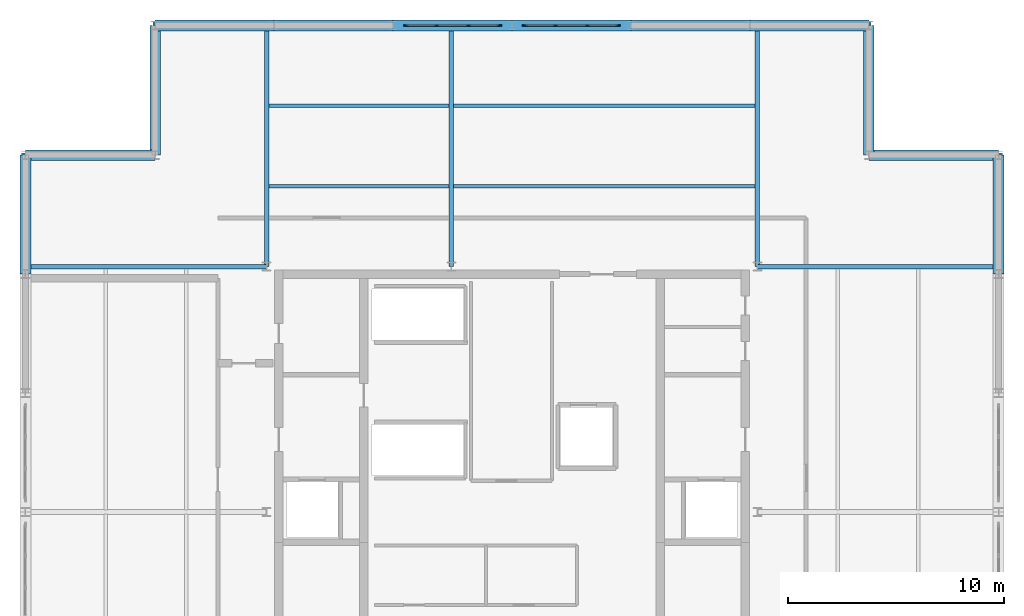
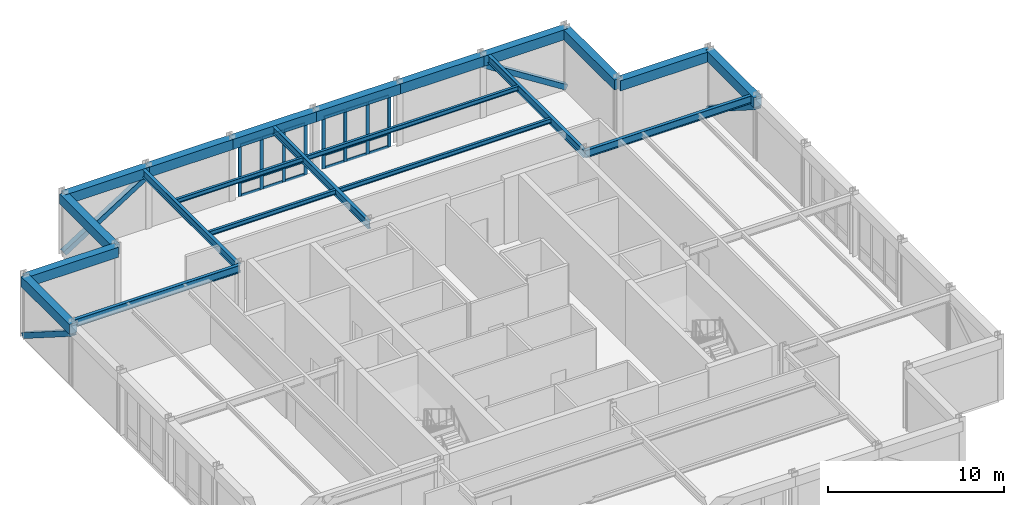
# One storey, part 5 of 9: 30 members, 21 beams, 2 elements without a shape of their own.
"""IFC4 building model written with IfcOpenShell, lengths in metres."""

from ifc_helpers import new_model, si_unit, direction, frame, origin, origin_2d, place, context, subcontext, project, spatial, rectangle, hollow_rectangle, i_section, extrude, material, layer, layer_set, material_profile, profile_set, type_object, element, aggregate, save


model = new_model("IFC4")

# Units and contexts
model_context = context("Model", 3, precision=1e-05, world=origin(), true_north=direction((0.0, 1.0)))
body_context = subcontext(model_context, "Body", "Model", "MODEL_VIEW")
ifc_project = project(units=[si_unit("LENGTHUNIT", "METRE"), si_unit("AREAUNIT", "SQUARE_METRE"), si_unit("VOLUMEUNIT", "CUBIC_METRE"), si_unit("PLANEANGLEUNIT", "RADIAN"), si_unit("MASSUNIT", "GRAM", prefix="KILO")], contexts=[model_context])

# Site, building, storey
site_placement = place(None, origin())
site = spatial("IfcSite", under=ifc_project, at=site_placement, CompositionType="ELEMENT")
building_placement = place(site_placement, origin())
building = spatial("IfcBuilding", under=site, at=building_placement, Name="Nhamokura Convention Tower", CompositionType="ELEMENT")
storey_placement = place(building_placement, frame((0.0, 0.0, 313.25)))
storey = spatial("IfcBuildingStorey", under=building, at=storey_placement, Name="L77", CompositionType="ELEMENT", Elevation=313.25)

# Curtain wall, members
ifc_material_1 = material(Name="Anodised bronze aluminium AA6063-T6", Category="aluminium")
ifc_layer = layer(ifc_material_1, 0.2099609375)
ifc_layer_set = layer_set([ifc_layer], Name="CWSystem_SlantedCrown")
curtain_wall_type = type_object("IfcCurtainWallType", Name="CWSystem_SlantedCrown", PredefinedType="NOTDEFINED", material=ifc_layer_set)
curtain_wall_1_placement = place(storey_placement, origin())
curtain_wall_1 = element("IfcCurtainWall", 1, at=curtain_wall_1_placement, inside=storey, type_object=curtain_wall_type, Name="L77 Curtain Wall ENV-L77-CRCW-N2", PredefinedType="NOTDEFINED")
ifc_material_2 = material(Name="Anodised bronze aluminium AA6063-T6", Category="aluminium")
ifc_material_profile_1 = material_profile(ifc_material_2, rectangle(XDim=0.080078125, YDim=0.2099609375, at=origin_2d()))
ifc_profile_set_1 = profile_set([ifc_material_profile_1], Name="Anodised bronze aluminium AA6063-T6")
member_type_1 = type_object("IfcMemberType", Name="CWMullion_4", PredefinedType="MULLION", material=ifc_profile_set_1)
member_1_placement = place(storey_placement, frame((27.090087890625, 54.5, 0.0), z_axis=(0.0, 0.0, 1.0), x_axis=(0.0, 1.0, 0.0)))
member_1 = element("IfcMember", 2, at=member_1_placement, type_object=member_type_1, Name="CW-07 mullion 1", PredefinedType="MULLION", context=body_context, shape_type="SweptSolid", body=[
    extrude(rectangle(XDim=0.080078125, YDim=0.2099609375, at=origin_2d()), origin(), (0.0, 0.0, 1.0), 3.570068359375),
])
member_2_placement = place(storey_placement, frame((28.5166015625, 54.5, 0.0), z_axis=(0.0, 0.0, 1.0), x_axis=(0.0, 1.0, 0.0)))
member_2 = element("IfcMember", 3, at=member_2_placement, type_object=member_type_1, Name="CW-07 mullion 2", PredefinedType="MULLION", context=body_context, shape_type="SweptSolid", body=[
    extrude(rectangle(XDim=0.080078125, YDim=0.2099609375, at=origin_2d()), origin(), (0.0, 0.0, 1.0), 3.570068359375),
])
member_3_placement = place(storey_placement, frame((29.9833984375, 54.5, 0.0), z_axis=(0.0, 0.0, 1.0), x_axis=(0.0, 1.0, 0.0)))
member_3 = element("IfcMember", 4, at=member_3_placement, type_object=member_type_1, Name="CW-07 mullion 3", PredefinedType="MULLION", context=body_context, shape_type="SweptSolid", body=[
    extrude(rectangle(XDim=0.080078125, YDim=0.2099609375, at=origin_2d()), origin(), (0.0, 0.0, 1.0), 3.570068359375),
])
member_4_placement = place(storey_placement, frame((31.409912109375, 54.5, 0.0), z_axis=(0.0, 0.0, 1.0), x_axis=(0.0, 1.0, 0.0)))
member_4 = element("IfcMember", 5, at=member_4_placement, type_object=member_type_1, Name="CW-07 mullion 4", PredefinedType="MULLION", context=body_context, shape_type="SweptSolid", body=[
    extrude(rectangle(XDim=0.080078125, YDim=0.2099609375, at=origin_2d()), origin(), (0.0, 0.0, 1.0), 3.570068359375),
])

curtain_wall_2_placement = place(storey_placement, origin())
curtain_wall_2 = element("IfcCurtainWall", 6, at=curtain_wall_2_placement, inside=storey, type_object=curtain_wall_type, Name="L77 Curtain Wall ENV-L77-CRCW-N3", PredefinedType="NOTDEFINED")
member_5_placement = place(storey_placement, frame((32.590087890625, 54.5, 0.0), z_axis=(0.0, 0.0, 1.0), x_axis=(0.0, 1.0, 0.0)))
member_5 = element("IfcMember", 7, at=member_5_placement, type_object=member_type_1, Name="CW-07 mullion 1", PredefinedType="MULLION", context=body_context, shape_type="SweptSolid", body=[
    extrude(rectangle(XDim=0.080078125, YDim=0.2099609375, at=origin_2d()), origin(), (0.0, 0.0, 1.0), 3.570068359375),
])
member_6_placement = place(storey_placement, frame((34.0166015625, 54.5, 0.0), z_axis=(0.0, 0.0, 1.0), x_axis=(0.0, 1.0, 0.0)))
member_6 = element("IfcMember", 8, at=member_6_placement, type_object=member_type_1, Name="CW-07 mullion 2", PredefinedType="MULLION", context=body_context, shape_type="SweptSolid", body=[
    extrude(rectangle(XDim=0.080078125, YDim=0.2099609375, at=origin_2d()), origin(), (0.0, 0.0, 1.0), 3.570068359375),
])
member_7_placement = place(storey_placement, frame((35.4833984375, 54.5, 0.0), z_axis=(0.0, 0.0, 1.0), x_axis=(0.0, 1.0, 0.0)))
member_7 = element("IfcMember", 9, at=member_7_placement, type_object=member_type_1, Name="CW-07 mullion 3", PredefinedType="MULLION", context=body_context, shape_type="SweptSolid", body=[
    extrude(rectangle(XDim=0.080078125, YDim=0.2099609375, at=origin_2d()), origin(), (0.0, 0.0, 1.0), 3.570068359375),
])
member_8_placement = place(storey_placement, frame((36.909912109375, 54.5, 0.0), z_axis=(0.0, 0.0, 1.0), x_axis=(0.0, 1.0, 0.0)))
member_8 = element("IfcMember", 10, at=member_8_placement, type_object=member_type_1, Name="CW-07 mullion 4", PredefinedType="MULLION", context=body_context, shape_type="SweptSolid", body=[
    extrude(rectangle(XDim=0.080078125, YDim=0.2099609375, at=origin_2d()), origin(), (0.0, 0.0, 1.0), 3.570068359375),
])

# Member
ifc_material_3 = material(Name="Anodised bronze aluminium AA6063-T6", Category="aluminium")
ifc_material_profile_2 = material_profile(ifc_material_3, rectangle(XDim=0.080078125, YDim=0.18505859375, at=origin_2d()))
ifc_profile_set_2 = profile_set([ifc_material_profile_2], Name="Anodised bronze aluminium AA6063-T6")
member_type_2 = type_object("IfcMemberType", Name="CWTransom_4", PredefinedType="USERDEFINED", material=ifc_profile_set_2)
member_9_placement = place(storey_placement, frame((27.1298828125, 54.5, 0.0400390625), z_axis=(1.0, 0.0, 0.0), x_axis=(0.0, 1.0, 0.0)))
member_9 = element("IfcMember", 11, at=member_9_placement, type_object=member_type_2, Name="CW-07 transom 1.1", ObjectType="TRANSOM", PredefinedType="USERDEFINED", context=body_context, shape_type="SweptSolid", body=[
    extrude(rectangle(XDim=0.080078125, YDim=0.18505859375, at=origin_2d()), origin(), (0.0, 0.0, 1.0), 1.3466796875),
])

member_10_placement = place(storey_placement, frame((27.1298828125, 54.5, 0.949951171875), z_axis=(1.0, 0.0, 0.0), x_axis=(0.0, 1.0, 0.0)))
member_10 = element("IfcMember", 12, at=member_10_placement, type_object=member_type_2, Name="CW-07 transom 1.2", ObjectType="TRANSOM", PredefinedType="USERDEFINED", context=body_context, shape_type="SweptSolid", body=[
    extrude(rectangle(XDim=0.080078125, YDim=0.18505859375, at=origin_2d()), origin(), (0.0, 0.0, 1.0), 1.3466796875),
])

member_11_placement = place(storey_placement, frame((27.1298828125, 54.5, 3.530029296875), z_axis=(1.0, 0.0, 0.0), x_axis=(0.0, 1.0, 0.0)))
member_11 = element("IfcMember", 13, at=member_11_placement, type_object=member_type_2, Name="CW-07 transom 1.3", ObjectType="TRANSOM", PredefinedType="USERDEFINED", context=body_context, shape_type="SweptSolid", body=[
    extrude(rectangle(XDim=0.080078125, YDim=0.18505859375, at=origin_2d()), origin(), (0.0, 0.0, 1.0), 1.3466796875),
])

member_12_placement = place(storey_placement, frame((28.556640625, 54.5, 0.0400390625), z_axis=(1.0, 0.0, 0.0), x_axis=(0.0, 1.0, 0.0)))
member_12 = element("IfcMember", 14, at=member_12_placement, type_object=member_type_2, Name="CW-07 transom 2.1", ObjectType="TRANSOM", PredefinedType="USERDEFINED", context=body_context, shape_type="SweptSolid", body=[
    extrude(rectangle(XDim=0.080078125, YDim=0.18505859375, at=origin_2d()), origin(), (0.0, 0.0, 1.0), 1.38671875),
])

member_13_placement = place(storey_placement, frame((28.556640625, 54.5, 0.949951171875), z_axis=(1.0, 0.0, 0.0), x_axis=(0.0, 1.0, 0.0)))
member_13 = element("IfcMember", 15, at=member_13_placement, type_object=member_type_2, Name="CW-07 transom 2.2", ObjectType="TRANSOM", PredefinedType="USERDEFINED", context=body_context, shape_type="SweptSolid", body=[
    extrude(rectangle(XDim=0.080078125, YDim=0.18505859375, at=origin_2d()), origin(), (0.0, 0.0, 1.0), 1.38671875),
])

member_14_placement = place(storey_placement, frame((28.556640625, 54.5, 3.530029296875), z_axis=(1.0, 0.0, 0.0), x_axis=(0.0, 1.0, 0.0)))
member_14 = element("IfcMember", 16, at=member_14_placement, type_object=member_type_2, Name="CW-07 transom 2.3", ObjectType="TRANSOM", PredefinedType="USERDEFINED", context=body_context, shape_type="SweptSolid", body=[
    extrude(rectangle(XDim=0.080078125, YDim=0.18505859375, at=origin_2d()), origin(), (0.0, 0.0, 1.0), 1.38671875),
])

member_15_placement = place(storey_placement, frame((30.0234375, 54.5, 0.0400390625), z_axis=(1.0, 0.0, 0.0), x_axis=(0.0, 1.0, 0.0)))
member_15 = element("IfcMember", 17, at=member_15_placement, type_object=member_type_2, Name="CW-07 transom 3.1", ObjectType="TRANSOM", PredefinedType="USERDEFINED", context=body_context, shape_type="SweptSolid", body=[
    extrude(rectangle(XDim=0.080078125, YDim=0.18505859375, at=origin_2d()), origin(), (0.0, 0.0, 1.0), 1.3466796875),
])

member_16_placement = place(storey_placement, frame((30.0234375, 54.5, 0.949951171875), z_axis=(1.0, 0.0, 0.0), x_axis=(0.0, 1.0, 0.0)))
member_16 = element("IfcMember", 18, at=member_16_placement, type_object=member_type_2, Name="CW-07 transom 3.2", ObjectType="TRANSOM", PredefinedType="USERDEFINED", context=body_context, shape_type="SweptSolid", body=[
    extrude(rectangle(XDim=0.080078125, YDim=0.18505859375, at=origin_2d()), origin(), (0.0, 0.0, 1.0), 1.3466796875),
])

member_17_placement = place(storey_placement, frame((30.0234375, 54.5, 3.530029296875), z_axis=(1.0, 0.0, 0.0), x_axis=(0.0, 1.0, 0.0)))
member_17 = element("IfcMember", 19, at=member_17_placement, type_object=member_type_2, Name="CW-07 transom 3.3", ObjectType="TRANSOM", PredefinedType="USERDEFINED", context=body_context, shape_type="SweptSolid", body=[
    extrude(rectangle(XDim=0.080078125, YDim=0.18505859375, at=origin_2d()), origin(), (0.0, 0.0, 1.0), 1.3466796875),
])

aggregate(curtain_wall_1, [member_1, member_2, member_3, member_4, member_9, member_10, member_11, member_12, member_13, member_14, member_15, member_16, member_17])

member_18_placement = place(storey_placement, frame((32.6298828125, 54.5, 0.0400390625), z_axis=(1.0, 0.0, 0.0), x_axis=(0.0, 1.0, 0.0)))
member_18 = element("IfcMember", 20, at=member_18_placement, type_object=member_type_2, Name="CW-07 transom 1.1", ObjectType="TRANSOM", PredefinedType="USERDEFINED", context=body_context, shape_type="SweptSolid", body=[
    extrude(rectangle(XDim=0.080078125, YDim=0.18505859375, at=origin_2d()), origin(), (0.0, 0.0, 1.0), 1.3466796875),
])

member_19_placement = place(storey_placement, frame((32.6298828125, 54.5, 0.949951171875), z_axis=(1.0, 0.0, 0.0), x_axis=(0.0, 1.0, 0.0)))
member_19 = element("IfcMember", 21, at=member_19_placement, type_object=member_type_2, Name="CW-07 transom 1.2", ObjectType="TRANSOM", PredefinedType="USERDEFINED", context=body_context, shape_type="SweptSolid", body=[
    extrude(rectangle(XDim=0.080078125, YDim=0.18505859375, at=origin_2d()), origin(), (0.0, 0.0, 1.0), 1.3466796875),
])

member_20_placement = place(storey_placement, frame((32.6298828125, 54.5, 3.530029296875), z_axis=(1.0, 0.0, 0.0), x_axis=(0.0, 1.0, 0.0)))
member_20 = element("IfcMember", 22, at=member_20_placement, type_object=member_type_2, Name="CW-07 transom 1.3", ObjectType="TRANSOM", PredefinedType="USERDEFINED", context=body_context, shape_type="SweptSolid", body=[
    extrude(rectangle(XDim=0.080078125, YDim=0.18505859375, at=origin_2d()), origin(), (0.0, 0.0, 1.0), 1.3466796875),
])

member_21_placement = place(storey_placement, frame((34.056640625, 54.5, 0.0400390625), z_axis=(1.0, 0.0, 0.0), x_axis=(0.0, 1.0, 0.0)))
member_21 = element("IfcMember", 23, at=member_21_placement, type_object=member_type_2, Name="CW-07 transom 2.1", ObjectType="TRANSOM", PredefinedType="USERDEFINED", context=body_context, shape_type="SweptSolid", body=[
    extrude(rectangle(XDim=0.080078125, YDim=0.18505859375, at=origin_2d()), origin(), (0.0, 0.0, 1.0), 1.38671875),
])

member_22_placement = place(storey_placement, frame((34.056640625, 54.5, 0.949951171875), z_axis=(1.0, 0.0, 0.0), x_axis=(0.0, 1.0, 0.0)))
member_22 = element("IfcMember", 24, at=member_22_placement, type_object=member_type_2, Name="CW-07 transom 2.2", ObjectType="TRANSOM", PredefinedType="USERDEFINED", context=body_context, shape_type="SweptSolid", body=[
    extrude(rectangle(XDim=0.080078125, YDim=0.18505859375, at=origin_2d()), origin(), (0.0, 0.0, 1.0), 1.38671875),
])

member_23_placement = place(storey_placement, frame((34.056640625, 54.5, 3.530029296875), z_axis=(1.0, 0.0, 0.0), x_axis=(0.0, 1.0, 0.0)))
member_23 = element("IfcMember", 25, at=member_23_placement, type_object=member_type_2, Name="CW-07 transom 2.3", ObjectType="TRANSOM", PredefinedType="USERDEFINED", context=body_context, shape_type="SweptSolid", body=[
    extrude(rectangle(XDim=0.080078125, YDim=0.18505859375, at=origin_2d()), origin(), (0.0, 0.0, 1.0), 1.38671875),
])

member_24_placement = place(storey_placement, frame((35.5234375, 54.5, 0.0400390625), z_axis=(1.0, 0.0, 0.0), x_axis=(0.0, 1.0, 0.0)))
member_24 = element("IfcMember", 26, at=member_24_placement, type_object=member_type_2, Name="CW-07 transom 3.1", ObjectType="TRANSOM", PredefinedType="USERDEFINED", context=body_context, shape_type="SweptSolid", body=[
    extrude(rectangle(XDim=0.080078125, YDim=0.18505859375, at=origin_2d()), origin(), (0.0, 0.0, 1.0), 1.3466796875),
])

member_25_placement = place(storey_placement, frame((35.5234375, 54.5, 0.949951171875), z_axis=(1.0, 0.0, 0.0), x_axis=(0.0, 1.0, 0.0)))
member_25 = element("IfcMember", 27, at=member_25_placement, type_object=member_type_2, Name="CW-07 transom 3.2", ObjectType="TRANSOM", PredefinedType="USERDEFINED", context=body_context, shape_type="SweptSolid", body=[
    extrude(rectangle(XDim=0.080078125, YDim=0.18505859375, at=origin_2d()), origin(), (0.0, 0.0, 1.0), 1.3466796875),
])

member_26_placement = place(storey_placement, frame((35.5234375, 54.5, 3.530029296875), z_axis=(1.0, 0.0, 0.0), x_axis=(0.0, 1.0, 0.0)))
member_26 = element("IfcMember", 28, at=member_26_placement, type_object=member_type_2, Name="CW-07 transom 3.3", ObjectType="TRANSOM", PredefinedType="USERDEFINED", context=body_context, shape_type="SweptSolid", body=[
    extrude(rectangle(XDim=0.080078125, YDim=0.18505859375, at=origin_2d()), origin(), (0.0, 0.0, 1.0), 1.3466796875),
])

aggregate(curtain_wall_2, [member_5, member_6, member_7, member_8, member_18, member_19, member_20, member_21, member_22, member_23, member_24, member_25, member_26])

# Beams
ifc_material_4 = material(Name="Steel ASTM A992 Gr 50", Category="steel")
ifc_material_profile_3 = material_profile(ifc_material_4, i_section(OverallWidth=0.166015625, OverallDepth=0.31298828125, WebThickness=0.006591796875, FlangeThickness=0.01123046875, at=origin_2d()))
ifc_profile_set_3 = profile_set([ifc_material_profile_3], Name="Steel ASTM A992 Gr 50")
beam_type_1 = type_object("IfcBeamType", Name="FloorJoist_W310X45", PredefinedType="JOIST", material=ifc_profile_set_3)
beam_1_placement = place(storey_placement, frame((20.75244140625, 47.066650390625, 4.133544921875), z_axis=(1.0, 0.0, 0.0), x_axis=(0.0, 1.0, 0.0)))
element("IfcBeam", 29, at=beam_1_placement, inside=storey, type_object=beam_type_1, Name="L77 Composite Floor Joist N1A", PredefinedType="JOIST", context=body_context, shape_type="SweptSolid", body=[
    extrude(i_section(OverallWidth=0.166015625, OverallDepth=0.31298828125, WebThickness=0.006591796875, FlangeThickness=0.01123046875, at=origin_2d()), origin(), (0.0, 0.0, 1.0), 8.344970703125),
])
beam_2_placement = place(storey_placement, frame((29.302490234375, 47.066650390625, 4.133544921875), z_axis=(1.0, 0.0, 0.0), x_axis=(0.0, 1.0, 0.0)))
element("IfcBeam", 30, at=beam_2_placement, inside=storey, type_object=beam_type_1, Name="L77 Composite Floor Joist N1B", PredefinedType="JOIST", context=body_context, shape_type="SweptSolid", body=[
    extrude(i_section(OverallWidth=0.166015625, OverallDepth=0.31298828125, WebThickness=0.006591796875, FlangeThickness=0.01123046875, at=origin_2d()), origin(), (0.0, 0.0, 1.0), 13.945068359375),
])
beam_3_placement = place(storey_placement, frame((20.75244140625, 50.783203125, 4.133544921875), z_axis=(1.0, 0.0, 0.0), x_axis=(0.0, 1.0, 0.0)))
element("IfcBeam", 31, at=beam_3_placement, inside=storey, type_object=beam_type_1, Name="L77 Composite Floor Joist N2A", PredefinedType="JOIST", context=body_context, shape_type="SweptSolid", body=[
    extrude(i_section(OverallWidth=0.166015625, OverallDepth=0.31298828125, WebThickness=0.006591796875, FlangeThickness=0.01123046875, at=origin_2d()), origin(), (0.0, 0.0, 1.0), 8.344970703125),
])
beam_4_placement = place(storey_placement, frame((29.302490234375, 50.783203125, 4.133544921875), z_axis=(1.0, 0.0, 0.0), x_axis=(0.0, 1.0, 0.0)))
element("IfcBeam", 32, at=beam_4_placement, inside=storey, type_object=beam_type_1, Name="L77 Composite Floor Joist N2B", PredefinedType="JOIST", context=body_context, shape_type="SweptSolid", body=[
    extrude(i_section(OverallWidth=0.166015625, OverallDepth=0.31298828125, WebThickness=0.006591796875, FlangeThickness=0.01123046875, at=origin_2d()), origin(), (0.0, 0.0, 1.0), 13.945068359375),
])
ifc_material_5 = material(Name="Steel ASTM A992 Gr 50", Category="steel")
ifc_material_profile_4 = material_profile(ifc_material_5, i_section(OverallWidth=0.208984375, OverallDepth=0.532958984375, WebThickness=0.01025390625, FlangeThickness=0.015625, at=origin_2d()))
ifc_profile_set_4 = profile_set([ifc_material_profile_4], Name="Steel ASTM A992 Gr 50")
beam_type_2 = type_object("IfcBeamType", Name="PrimaryGirder_W530X92", PredefinedType="BEAM", material=ifc_profile_set_4)
for number, where, z_axis, x_axis, name in (
    (33, (20.64990234375, 43.35009765625, 4.0234375), (0.0, 1.0, 0.0), (-1.0, 0.0, 0.0), "L77 Primary Floor Girder PG-N1"),
    (34, (29.199951171875, 43.35009765625, 4.0234375), (0.0, 1.0, 0.0), (-1.0, 0.0, 0.0), "L77 Primary Floor Girder PG-N2"),
    (35, (43.35009765625, 43.35009765625, 4.0234375), (0.0, 1.0, 0.0), (-1.0, 0.0, 0.0), "L77 Primary Floor Girder PG-N3"),
    (36, (9.5, 43.35009765625, 4.0234375), (1.0, 0.0, 0.0), (0.0, 1.0, 0.0), "L77 Primary Floor Girder PG-W3"),
    (37, (43.35009765625, 43.35009765625, 4.0234375), (1.0, 0.0, 0.0), (0.0, 1.0, 0.0), "L77 Primary Floor Girder PG-E3"),
):
    element("IfcBeam", number, at=place(storey_placement, frame(where, z_axis=z_axis, x_axis=x_axis)), inside=storey, type_object=beam_type_2, Name=name, PredefinedType="BEAM", context=body_context, shape_type="SweptSolid", body=[
        extrude(i_section(OverallWidth=0.208984375, OverallDepth=0.532958984375, WebThickness=0.01025390625, FlangeThickness=0.015625, at=origin_2d()), origin(), (0.0, 0.0, 1.0), 11.14990234375),
    ])

# Members
ifc_material_6 = material(Name="Steel ASTM A572 Gr 50", Category="steel")
ifc_material_profile_5 = material_profile(ifc_material_6, hollow_rectangle(XDim=0.35009765625, YDim=0.35009765625, WallThickness=0.01611328125, at=origin_2d()))
ifc_profile_set_5 = profile_set([ifc_material_profile_5], Name="Steel ASTM A572 Gr 50")
member_type_3 = type_object("IfcMemberType", Name="TubeBrace_HSS350", PredefinedType="BRACE", material=ifc_profile_set_5)
for number, where, z_axis, x_axis, name in (
    (38, (15.5, 54.5, 0.14990234375), (0.84435681045, 0.0, 0.535781276872), (0.0, 1.0, 0.0), "L77 Perimeter Tube Brace NORTH Bay 0"),
    (39, (48.5, 54.5, 0.14990234375), (-0.84435681045, 0.0, 0.535781276872), (0.0, -1.0, 0.0), "L77 Perimeter Tube Brace NORTH Bay 5"),
    (40, (9.5, 48.5, 0.14990234375), (0.0, -0.84435681045, 0.535781276872), (1.0, 0.0, 0.0), "L77 Perimeter Tube Brace WEST Bay 5"),
    (41, (54.5, 48.5, 0.14990234375), (0.0, -0.84435681045, 0.535781276872), (1.0, 0.0, 0.0), "L77 Perimeter Tube Brace EAST Bay 5"),
):
    element("IfcMember", number, at=place(storey_placement, frame(where, z_axis=z_axis, x_axis=x_axis)), inside=storey, type_object=member_type_3, Name=name, PredefinedType="BRACE", context=body_context, shape_type="SweptSolid", body=[
        extrude(hollow_rectangle(XDim=0.35009765625, YDim=0.35009765625, WallThickness=0.01611328125, at=origin_2d()), origin(), (0.0, 0.0, 1.0), 6.513916015625),
    ])

# Beams
ifc_material_7 = material(Name="Concrete C50/60", Category="concrete")
ifc_material_profile_6 = material_profile(ifc_material_7, rectangle(XDim=0.5, YDim=0.699951171875, at=origin_2d()))
ifc_profile_set_6 = profile_set([ifc_material_profile_6], Name="Concrete C50/60")
beam_type_3 = type_object("IfcBeamType", Name="TubeSpandrel_700", PredefinedType="SPANDREL", material=ifc_profile_set_6)
for number, where, z_axis, x_axis, name in (
    (42, (15.5, 54.5, 3.93994140625), (1.0, 0.0, 0.0), (0.0, 1.0, 0.0), "L77 Perimeter Spandrel NORTH 1"),
    (43, (21.0, 54.5, 3.93994140625), (1.0, 0.0, 0.0), (0.0, 1.0, 0.0), "L77 Perimeter Spandrel NORTH 2"),
    (44, (26.5, 54.5, 3.93994140625), (1.0, 0.0, 0.0), (0.0, 1.0, 0.0), "L77 Perimeter Spandrel NORTH 3"),
    (45, (32.0, 54.5, 3.93994140625), (1.0, 0.0, 0.0), (0.0, 1.0, 0.0), "L77 Perimeter Spandrel NORTH 4"),
    (46, (37.5, 54.5, 3.93994140625), (1.0, 0.0, 0.0), (0.0, 1.0, 0.0), "L77 Perimeter Spandrel NORTH 5"),
    (47, (43.0, 54.5, 3.93994140625), (1.0, 0.0, 0.0), (0.0, 1.0, 0.0), "L77 Perimeter Spandrel NORTH 6"),
    (48, (9.5, 43.0, 3.93994140625), (0.0, 1.0, 0.0), (-1.0, 0.0, 0.0), "L77 Perimeter Spandrel WEST 6"),
    (49, (54.5, 43.0, 3.93994140625), (0.0, 1.0, 0.0), (-1.0, 0.0, 0.0), "L77 Perimeter Spandrel EAST 6"),
):
    element("IfcBeam", number, at=place(storey_placement, frame(where, z_axis=z_axis, x_axis=x_axis)), inside=storey, type_object=beam_type_3, Name=name, PredefinedType="SPANDREL", context=body_context, shape_type="SweptSolid", body=[
        extrude(rectangle(XDim=0.5, YDim=0.699951171875, at=origin_2d()), origin(), (0.0, 0.0, 1.0), 5.5),
    ])
for number, where, z_axis, x_axis, name in (
    (50, (54.5, 48.5, 3.93994140625), (-1.0, 0.0, 0.0), (0.0, -1.0, 0.0), "L77 Notch Spandrel NE1"),
    (51, (48.5, 48.5, 3.93994140625), (0.0, 1.0, 0.0), (-1.0, 0.0, 0.0), "L77 Notch Spandrel NE2"),
    (52, (15.5, 54.5, 3.93994140625), (0.0, -1.0, 0.0), (1.0, 0.0, 0.0), "L77 Notch Spandrel NW1"),
    (53, (15.5, 48.5, 3.93994140625), (-1.0, 0.0, 0.0), (0.0, -1.0, 0.0), "L77 Notch Spandrel NW2"),
):
    element("IfcBeam", number, at=place(storey_placement, frame(where, z_axis=z_axis, x_axis=x_axis)), inside=storey, type_object=beam_type_3, Name=name, PredefinedType="SPANDREL", context=body_context, shape_type="SweptSolid", body=[
        extrude(rectangle(XDim=0.5, YDim=0.699951171875, at=origin_2d()), origin(), (0.0, 0.0, 1.0), 6.0),
    ])

save(model, "model.ifc")
